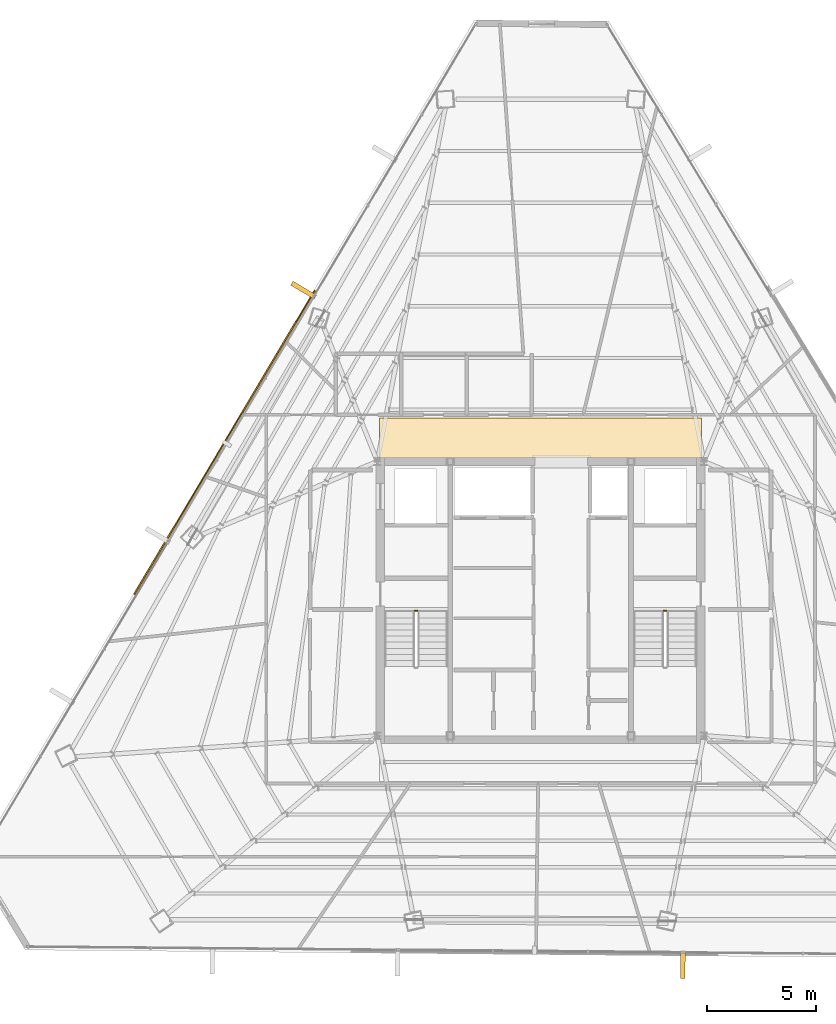
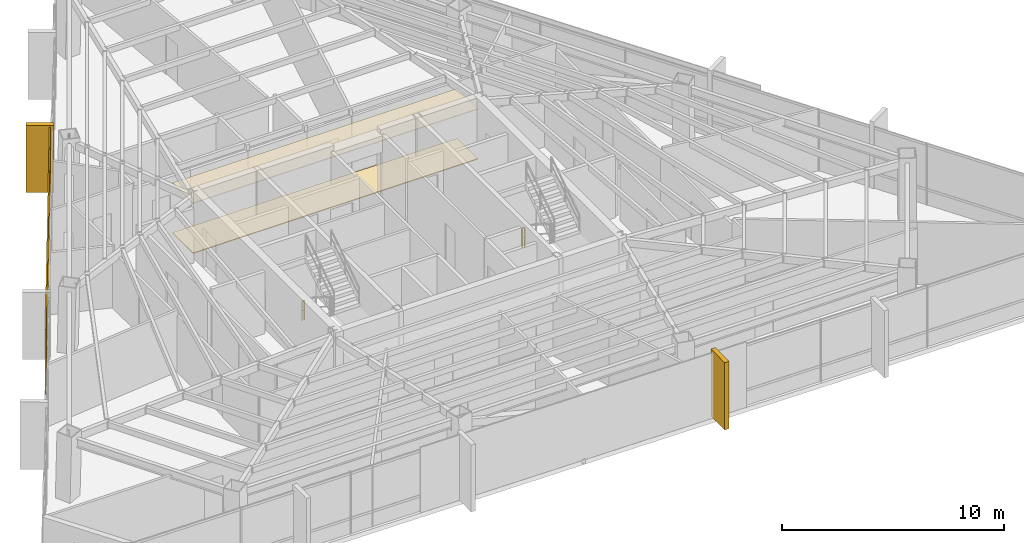
# One storey, part 48 of 49: 4 coverings, 2 railings, 1 shading device.
"""IFC4 building model written with IfcOpenShell, lengths in metres."""

from ifc_helpers import new_model, si_unit, direction, frame, origin, origin_2d, place, context, subcontext, project, spatial, polyline, rectangle, outline, extrude, source, transform, mapped, material, layer, layer_set, type_object, type_shapes, element, save


model = new_model("IFC4")

# Units and contexts
model_context = context("Model", 3, precision=1e-05, world=origin(), true_north=direction((0.0, 1.0)))
body_context = subcontext(model_context, "Body", "Model", "MODEL_VIEW")
ifc_project = project(units=[si_unit("LENGTHUNIT", "METRE"), si_unit("AREAUNIT", "SQUARE_METRE"), si_unit("VOLUMEUNIT", "CUBIC_METRE"), si_unit("PLANEANGLEUNIT", "RADIAN"), si_unit("MASSUNIT", "GRAM", prefix="KILO")], contexts=[model_context])

# Site, building, storey
site_placement = place(None, origin())
site = spatial("IfcSite", under=ifc_project, at=site_placement, CompositionType="ELEMENT")
building_placement = place(site_placement, origin())
building = spatial("IfcBuilding", under=site, at=building_placement, Name="Caelisora Broadcast Tower", CompositionType="ELEMENT")
storey_placement = place(building_placement, frame((0.0, 0.0, 233.5)))
storey = spatial("IfcBuildingStorey", under=building, at=storey_placement, Name="L61", CompositionType="ELEMENT", Elevation=233.5)

# Coverings
ifc_material_1 = material(Name="Perforated Mineral-Fibre Acoustic Ceiling Tile", Category="gypsum")
ifc_layer_1 = layer(ifc_material_1, 0.034912109375, Name="Perforated Mineral-Fibre Acoustic Ceiling Tile")
ifc_layer_set_1 = layer_set([ifc_layer_1], Name="Perforated Mineral-Fibre Acoustic Ceiling Tile")
covering_type_1 = type_object("IfcCoveringType", Name="CE-1", PredefinedType="CEILING", material=ifc_layer_set_1)
covering_1_placement = place(storey_placement, frame((0.0, 0.0, 2.75)))
element("IfcCovering", 1, at=covering_1_placement, inside=storey, type_object=covering_type_1, Name="L61 acoustic corridor ceiling CE-1 (N)", PredefinedType="CEILING", context=body_context, shape_type="SweptSolid", body=[
    extrude(outline(polyline([(30.60009765625, 30.14990234375), (45.39990234375, 30.14990234375), (45.39990234375, 32.0), (30.60009765625, 32.0), (30.60009765625, 30.14990234375)])), origin(), (0.0, 0.0, 1.0), 0.034912109375),
])
ifc_material_2 = material(Name="Anti-Static Broadcast Raised Access Floor Panel", Category="steel")
ifc_layer_2 = layer(ifc_material_2, 0.044921875, Name="Anti-Static Broadcast Raised Access Floor Panel")
ifc_layer_set_2 = layer_set([ifc_layer_2], Name="Anti-Static Broadcast Raised Access Floor Panel")
covering_type_2 = type_object("IfcCoveringType", Name="FL-1", PredefinedType="FLOORING", material=ifc_layer_set_2)
covering_2_placement = place(storey_placement, origin())
element("IfcCovering", 2, at=covering_2_placement, inside=storey, type_object=covering_type_2, Name="L61 broadcast raised access floor FL-1 (N)", PredefinedType="FLOORING", context=body_context, shape_type="SweptSolid", body=[
    extrude(outline(polyline([(30.60009765625, 30.14990234375), (45.39990234375, 30.14990234375), (45.39990234375, 32.0), (30.60009765625, 32.0), (30.60009765625, 30.14990234375)])), origin(), (0.0, 0.0, 1.0), 0.044921875),
])

# Railings
ifc_material_3 = material(Name="Galvanised Steel Safety Guardrail", Category="steel")
ifc_layer_3 = layer(ifc_material_3, 0.048095703125, Name="Galvanised Steel Safety Guardrail")
ifc_layer_set_3 = layer_set([ifc_layer_3], Name="Galvanised Steel Safety Guardrail")
railing_type = type_object("IfcRailingType", Name="GR-1", PredefinedType="GUARDRAIL", material=ifc_layer_set_3)
for number, where, name in (
    (3, (32.219970703125, 23.14990234375, 0.0), "L61 ST-1 stair guard 4"),
    (4, (43.659912109375, 23.14990234375, 0.0), "L61 ST-2 stair guard 4"),
):
    element("IfcRailing", number, at=place(storey_placement, frame(where)), inside=storey, type_object=railing_type, Name=name, PredefinedType="GUARDRAIL", context=body_context, shape_type="SweptSolid", body=[
        extrude(rectangle(XDim=0.048095703125, YDim=0.048095703125, at=origin_2d()), frame((0.0, 0.0, 1.076171875), z_axis=(1.0, 0.0, 0.0), x_axis=(0.0, 1.0, 0.0)), (0.0, 0.0, 1.0), 0.1201171875),
        extrude(rectangle(XDim=0.03125, YDim=0.03125, at=origin_2d()), frame((0.0, 0.0, 0.550048828125), z_axis=(1.0, 0.0, 0.0), x_axis=(0.0, 1.0, 0.0)), (0.0, 0.0, 1.0), 0.1201171875),
        extrude(rectangle(XDim=0.0419921875, YDim=0.0419921875, at=origin_2d()), origin(), (0.0, 0.0, 1.0), 1.052001953125),
        extrude(rectangle(XDim=0.0419921875, YDim=0.0419921875, at=origin_2d()), frame((0.1201171875, 0.0, 0.0)), (0.0, 0.0, 1.0), 1.052001953125),
    ])

# Coverings
ifc_material_4 = material(Name="Kiln-Fired Terracotta Spandrel Rainscreen Cladding", Category="ceramic")
ifc_layer_4 = layer(ifc_material_4, 0.044921875, Name="Kiln-Fired Terracotta Spandrel Rainscreen Cladding")
ifc_layer_set_4 = layer_set([ifc_layer_4], Name="Kiln-Fired Terracotta Spandrel Rainscreen Cladding")
covering_type_3 = type_object("IfcCoveringType", Name="CL-1", PredefinedType="CLADDING", material=ifc_layer_set_4)
shared_shape_1 = source(origin(), body_context, "Body", "SweptSolid", [
    extrude(rectangle(XDim=0.219970703125, YDim=1.25, at=origin_2d()), origin(), (0.0, 0.0, 1.0), 3.68994140625),
])
type_shapes(covering_type_3, [shared_shape_1])
for number, where, z_axis, x_axis, name in (
    (5, (44.533935546875, 6.8798828125, -0.02001953125), (0.0, 0.0, 1.0), (-0.999960384766, 0.008901061644, 0.0), "L61 vertical solar fin cladding #2-2"),
    (6, (27.109130859375, 37.871337890625, -0.02001953125), (0.0, 0.0, 1.0), (0.510843031866, 0.859674006117, 0.0), "L61 vertical solar fin cladding #3-3"),
):
    element("IfcCovering", number, at=place(storey_placement, frame(where, z_axis=z_axis, x_axis=x_axis)), inside=storey, type_object=covering_type_3, Name=name, PredefinedType="CLADDING", context=body_context, shape_type="MappedRepresentation", body=[
        mapped(shared_shape_1, transform((0.0, 0.0, 0.0), scale=1.0)),
    ])

# Shading device
ifc_material_5 = material(Name="Perforated Glazed Terracotta Baguette Solar Screen", Category="ceramic")
ifc_layer_5 = layer(ifc_material_5, 0.06494140625, Name="Perforated Glazed Terracotta Baguette Solar Screen")
ifc_layer_set_5 = layer_set([ifc_layer_5], Name="Perforated Glazed Terracotta Baguette Solar Screen")
shading_device_type = type_object("IfcShadingDeviceType", Name="SS-1", PredefinedType="USERDEFINED", material=ifc_layer_set_5)
shared_shape_2 = source(origin(), body_context, "Body", "SweptSolid", [
    extrude(rectangle(XDim=16.23193359375, YDim=0.06494140625, at=origin_2d()), origin(), (0.0, 0.0, 1.0), 3.590087890625),
])
type_shapes(shading_device_type, [shared_shape_2])
shading_device_placement = place(storey_placement, frame((23.477783203125, 30.880615234375, 0.0), z_axis=(0.0, 0.0, 1.0), x_axis=(-0.510843031866, -0.859674006117, 0.0)))
element("IfcShadingDevice", 7, at=shading_device_placement, inside=storey, type_object=shading_device_type, Name="L61 perforated terracotta solar screen #1", ObjectType="SOLAR SCREEN", PredefinedType="USERDEFINED", context=body_context, shape_type="MappedRepresentation", body=[
    mapped(shared_shape_2, transform((0.0, 0.0, 0.0), scale=1.0)),
])

save(model, "model.ifc")
